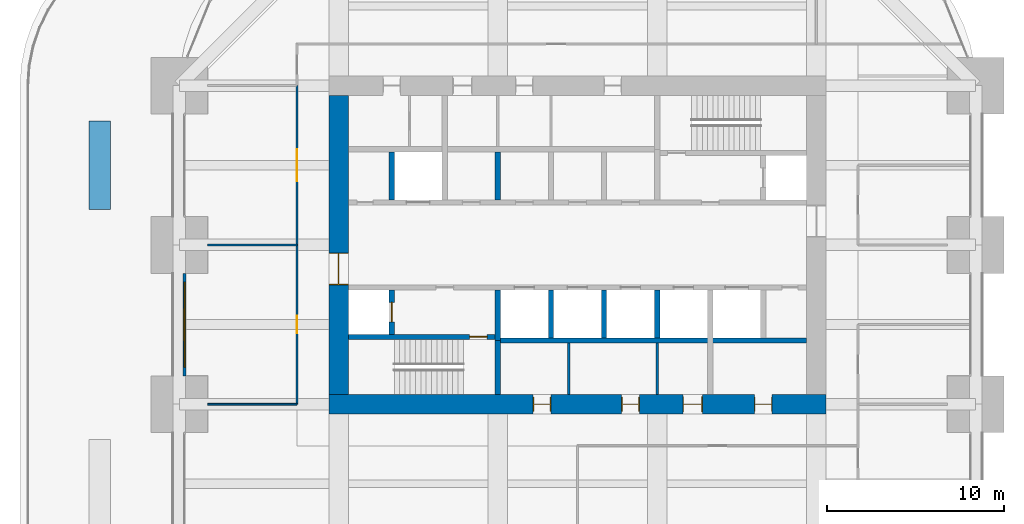
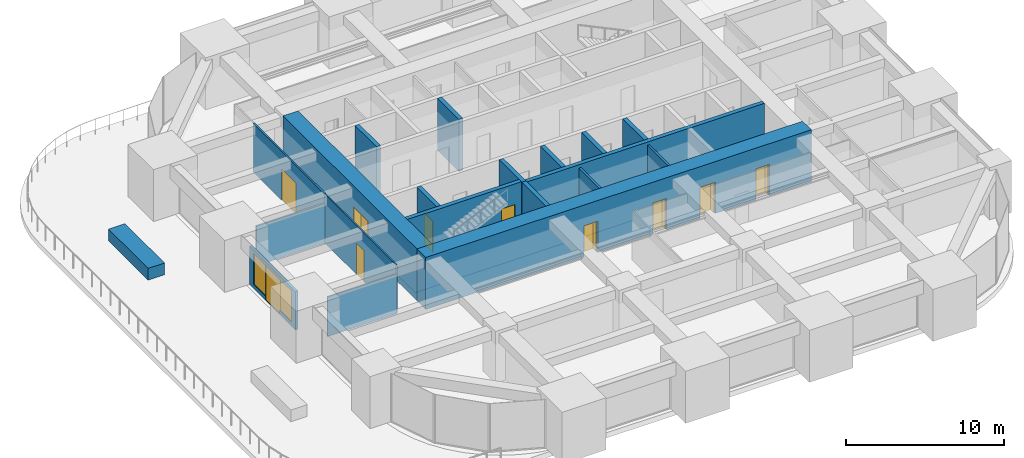
# One storey, part 36 of 40: 20 walls, 10 doors, 2 windows, 12 openings.
"""IFC4 building model written with IfcOpenShell, lengths in metres."""

from ifc_helpers import new_model, si_unit, direction, frame, frame_2d, origin, place, context, subcontext, project, spatial, rectangle, extrude, material, layer, layer_set, type_object, element, fill, save


model = new_model("IFC4")

# Units and contexts
model_context = context("Model", 3, precision=1e-05, world=origin(), true_north=direction((0.0, 1.0)))
body_context = subcontext(model_context, "Body", "Model", "MODEL_VIEW")
ifc_project = project(units=[si_unit("LENGTHUNIT", "METRE"), si_unit("AREAUNIT", "SQUARE_METRE"), si_unit("VOLUMEUNIT", "CUBIC_METRE"), si_unit("PLANEANGLEUNIT", "RADIAN"), si_unit("MASSUNIT", "GRAM", prefix="KILO")], contexts=[model_context])

# Site, building, storey
site_placement = place(None, origin())
site = spatial("IfcSite", under=ifc_project, at=site_placement, CompositionType="ELEMENT")
building_placement = place(site_placement, origin())
building = spatial("IfcBuilding", under=site, at=building_placement, Name="Zorevar Civic Tower", CompositionType="ELEMENT")
storey_placement = place(building_placement, frame((0.0, 0.0, 239.39990234375)))
storey = spatial("IfcBuildingStorey", under=building, at=storey_placement, Name="L58", CompositionType="ELEMENT", Elevation=239.39990234375)

# Wall, openings, doors
ifc_material_1 = material(Name="Concrete C50/60", Category="concrete")
ifc_layer_1 = layer(ifc_material_1, 1.10009765625)
ifc_layer_set_1 = layer_set([ifc_layer_1], Name="Core wall 1100")
wall_type_1 = type_object("IfcWallType", Name="Core wall 1100", PredefinedType="SHEAR", material=ifc_layer_set_1)
wall_1_placement = place(storey_placement, frame((17.449951171875, 18.0, 0.0), z_axis=(0.0, 0.0, 1.0), x_axis=(1.0, 0.0, 0.0)))
wall_1 = element("IfcWall", 1, at=wall_1_placement, inside=storey, type_object=wall_type_1, Name="Core wall S L58", PredefinedType="SHEAR", context=body_context, shape_type="SweptSolid", body=[
    extrude(rectangle(XDim=28.10009765625, YDim=1.10009765625, at=frame_2d((14.050048828125, 0.0))), origin(), (0.0, 0.0, 1.0), 4.0),
])
opening_1_placement = place(wall_1_placement, frame((11.550048828125, 0.0, 0.0)))
opening_1 = element("IfcOpeningElement", 2, at=opening_1_placement, cuts=wall_1, Name="Opening L58.03", PredefinedType="OPENING", context=body_context, shape_type="SweptSolid", body=[
    extrude(rectangle(XDim=1.0, YDim=2.39990234375, at=frame_2d((0.5, 1.199951171875))), frame((0.0, 0.56005859375, 0.0), z_axis=(0.0, -1.0, 0.0), x_axis=(1.0, 0.0, 0.0)), (0.0, 0.0, 1.0), 1.1201171875),
])
opening_2_placement = place(wall_1_placement, frame((16.550048828125, 0.0, 0.0)))
opening_2 = element("IfcOpeningElement", 3, at=opening_2_placement, cuts=wall_1, Name="Opening L58.04", PredefinedType="OPENING", context=body_context, shape_type="SweptSolid", body=[
    extrude(rectangle(XDim=1.0, YDim=2.39990234375, at=frame_2d((0.5, 1.199951171875))), frame((0.0, 0.56005859375, 0.0), z_axis=(0.0, -1.0, 0.0), x_axis=(1.0, 0.0, 0.0)), (0.0, 0.0, 1.0), 1.1201171875),
])
opening_3_placement = place(wall_1_placement, frame((20.0, 0.0, 0.0)))
opening_3 = element("IfcOpeningElement", 4, at=opening_3_placement, cuts=wall_1, Name="Opening L58.05", PredefinedType="OPENING", context=body_context, shape_type="SweptSolid", body=[
    extrude(rectangle(XDim=1.10009765625, YDim=2.39990234375, at=frame_2d((0.550048828125, 1.199951171875))), frame((0.0, 0.56005859375, 0.0), z_axis=(0.0, -1.0, 0.0), x_axis=(1.0, 0.0, 0.0)), (0.0, 0.0, 1.0), 1.1201171875),
])
opening_4_placement = place(wall_1_placement, frame((24.050048828125, 0.0, 0.0)))
opening_4 = element("IfcOpeningElement", 5, at=opening_4_placement, cuts=wall_1, Name="Opening L58.06", PredefinedType="OPENING", context=body_context, shape_type="SweptSolid", body=[
    extrude(rectangle(XDim=1.0, YDim=2.39990234375, at=frame_2d((0.5, 1.199951171875))), frame((0.0, 0.56005859375, 0.0), z_axis=(0.0, -1.0, 0.0), x_axis=(1.0, 0.0, 0.0)), (0.0, 0.0, 1.0), 1.1201171875),
])
ifc_material_2 = material(Name="Timber door set", Category="wood")
door_type_1 = type_object("IfcDoorType", Name="Door D1 1000x2400", OperationType="SINGLE_SWING_LEFT", PredefinedType="DOOR", material=ifc_material_2)
door_1_placement = place(opening_1_placement, origin())
door_1 = element("IfcDoor", 6, at=door_1_placement, inside=storey, type_object=door_type_1, Name="Door L58 02", OperationType="SINGLE_SWING_LEFT", OverallHeight=2.39990234375, OverallWidth=1.0, PredefinedType="DOOR", context=body_context, shape_type="SweptSolid", body=[
    extrude(rectangle(XDim=1.0, YDim=2.39990234375, at=frame_2d((0.5, 1.199951171875))), frame((0.0, 0.02490234375, 0.0), z_axis=(0.0, -1.0, 0.0), x_axis=(1.0, 0.0, 0.0)), (0.0, 0.0, 1.0), 0.050048828125),
    extrude(rectangle(XDim=0.04, YDim=2.39990234375, at=frame_2d((0.02001953125, 1.199951171875))), frame((0.0, 0.39990234375, 0.0), z_axis=(0.0, -1.0, 0.0), x_axis=(1.0, 0.0, 0.0)), (0.0, 0.0, 1.0), 0.800048828125),
    extrude(rectangle(XDim=0.04, YDim=2.39990234375, at=frame_2d((0.97998046875, 1.199951171875))), frame((0.0, 0.39990234375, 0.0), z_axis=(0.0, -1.0, 0.0), x_axis=(1.0, 0.0, 0.0)), (0.0, 0.0, 1.0), 0.800048828125),
    extrude(rectangle(XDim=1.0, YDim=0.04, at=frame_2d((0.5, 2.3798828125))), frame((0.0, 0.39990234375, 0.0), z_axis=(0.0, -1.0, 0.0), x_axis=(1.0, 0.0, 0.0)), (0.0, 0.0, 1.0), 0.800048828125),
])
fill(opening_1, door_1)
door_2_placement = place(opening_2_placement, origin())
door_2 = element("IfcDoor", 7, at=door_2_placement, inside=storey, type_object=door_type_1, Name="Door L58 03", OperationType="SINGLE_SWING_RIGHT", OverallHeight=2.39990234375, OverallWidth=1.0, PredefinedType="DOOR", context=body_context, shape_type="SweptSolid", body=[
    extrude(rectangle(XDim=1.0, YDim=2.39990234375, at=frame_2d((0.5, 1.199951171875))), frame((0.0, 0.02490234375, 0.0), z_axis=(0.0, -1.0, 0.0), x_axis=(1.0, 0.0, 0.0)), (0.0, 0.0, 1.0), 0.050048828125),
    extrude(rectangle(XDim=0.04, YDim=2.39990234375, at=frame_2d((0.02001953125, 1.199951171875))), frame((0.0, 0.39990234375, 0.0), z_axis=(0.0, -1.0, 0.0), x_axis=(1.0, 0.0, 0.0)), (0.0, 0.0, 1.0), 0.800048828125),
    extrude(rectangle(XDim=0.04, YDim=2.39990234375, at=frame_2d((0.97998046875, 1.199951171875))), frame((0.0, 0.39990234375, 0.0), z_axis=(0.0, -1.0, 0.0), x_axis=(1.0, 0.0, 0.0)), (0.0, 0.0, 1.0), 0.800048828125),
    extrude(rectangle(XDim=1.0, YDim=0.04, at=frame_2d((0.5, 2.3798828125))), frame((0.0, 0.39990234375, 0.0), z_axis=(0.0, -1.0, 0.0), x_axis=(1.0, 0.0, 0.0)), (0.0, 0.0, 1.0), 0.800048828125),
])
fill(opening_2, door_2)
door_3_placement = place(opening_4_placement, origin())
door_3 = element("IfcDoor", 8, at=door_3_placement, inside=storey, type_object=door_type_1, Name="Door L58 05", OperationType="SINGLE_SWING_RIGHT", OverallHeight=2.39990234375, OverallWidth=1.0, PredefinedType="DOOR", context=body_context, shape_type="SweptSolid", body=[
    extrude(rectangle(XDim=1.0, YDim=2.39990234375, at=frame_2d((0.5, 1.199951171875))), frame((0.0, 0.02490234375, 0.0), z_axis=(0.0, -1.0, 0.0), x_axis=(1.0, 0.0, 0.0)), (0.0, 0.0, 1.0), 0.050048828125),
    extrude(rectangle(XDim=0.04, YDim=2.39990234375, at=frame_2d((0.02001953125, 1.199951171875))), frame((0.0, 0.39990234375, 0.0), z_axis=(0.0, -1.0, 0.0), x_axis=(1.0, 0.0, 0.0)), (0.0, 0.0, 1.0), 0.800048828125),
    extrude(rectangle(XDim=0.04, YDim=2.39990234375, at=frame_2d((0.97998046875, 1.199951171875))), frame((0.0, 0.39990234375, 0.0), z_axis=(0.0, -1.0, 0.0), x_axis=(1.0, 0.0, 0.0)), (0.0, 0.0, 1.0), 0.800048828125),
    extrude(rectangle(XDim=1.0, YDim=0.04, at=frame_2d((0.5, 2.3798828125))), frame((0.0, 0.39990234375, 0.0), z_axis=(0.0, -1.0, 0.0), x_axis=(1.0, 0.0, 0.0)), (0.0, 0.0, 1.0), 0.800048828125),
])
fill(opening_4, door_3)
ifc_material_3 = material(Name="Timber door set", Category="wood")
door_type_2 = type_object("IfcDoorType", Name="Door D5 1100x2400", OperationType="SINGLE_SWING_LEFT", PredefinedType="DOOR", material=ifc_material_3)
door_4_placement = place(opening_3_placement, origin())
door_4 = element("IfcDoor", 9, at=door_4_placement, inside=storey, type_object=door_type_2, Name="Door L58 04", OperationType="SINGLE_SWING_RIGHT", OverallHeight=2.39990234375, OverallWidth=1.10009765625, PredefinedType="DOOR", context=body_context, shape_type="SweptSolid", body=[
    extrude(rectangle(XDim=1.10009765625, YDim=2.39990234375, at=frame_2d((0.550048828125, 1.199951171875))), frame((0.0, 0.02490234375, 0.0), z_axis=(0.0, -1.0, 0.0), x_axis=(1.0, 0.0, 0.0)), (0.0, 0.0, 1.0), 0.050048828125),
    extrude(rectangle(XDim=0.04, YDim=2.39990234375, at=frame_2d((0.02001953125, 1.199951171875))), frame((0.0, 0.43994140625, 0.0), z_axis=(0.0, -1.0, 0.0), x_axis=(1.0, 0.0, 0.0)), (0.0, 0.0, 1.0), 0.880126953125),
    extrude(rectangle(XDim=0.04, YDim=2.39990234375, at=frame_2d((1.080078125, 1.199951171875))), frame((0.0, 0.43994140625, 0.0), z_axis=(0.0, -1.0, 0.0), x_axis=(1.0, 0.0, 0.0)), (0.0, 0.0, 1.0), 0.880126953125),
    extrude(rectangle(XDim=1.10009765625, YDim=0.04, at=frame_2d((0.550048828125, 2.3798828125))), frame((0.0, 0.43994140625, 0.0), z_axis=(0.0, -1.0, 0.0), x_axis=(1.0, 0.0, 0.0)), (0.0, 0.0, 1.0), 0.880126953125),
])
fill(opening_3, door_4)

# Wall, opening, door
wall_2_placement = place(storey_placement, frame((18.0, 35.449951171875, 0.0), z_axis=(0.0, 0.0, 1.0), x_axis=(0.0, -1.0, 0.0)))
wall_2 = element("IfcWall", 10, at=wall_2_placement, inside=storey, type_object=wall_type_1, Name="Core wall W L58", PredefinedType="SHEAR", context=body_context, shape_type="SweptSolid", body=[
    extrude(rectangle(XDim=16.89990234375, YDim=1.10009765625, at=frame_2d((8.449951171875, 0.0))), origin(), (0.0, 0.0, 1.0), 4.0),
])
opening_5_placement = place(wall_2_placement, frame((8.89990234375, 0.0, 0.0)))
opening_5 = element("IfcOpeningElement", 11, at=opening_5_placement, cuts=wall_2, Name="Opening L58.01", PredefinedType="OPENING", context=body_context, shape_type="SweptSolid", body=[
    extrude(rectangle(XDim=1.800048828125, YDim=2.39990234375, at=frame_2d((0.89990234375, 1.199951171875))), frame((0.0, 0.56005859375, 0.0), z_axis=(0.0, -1.0, 0.0), x_axis=(1.0, 0.0, 0.0)), (0.0, 0.0, 1.0), 1.1201171875),
])
ifc_material_4 = material(Name="Steel door set", Category="steel")
door_type_3 = type_object("IfcDoorType", Name="Fire door FD2 1800x2400", OperationType="DOUBLE_DOOR_DOUBLE_SWING", PredefinedType="DOOR", material=ifc_material_4)
door_5_placement = place(opening_5_placement, origin())
door_5 = element("IfcDoor", 12, at=door_5_placement, inside=storey, type_object=door_type_3, Name="Door L58 00", OperationType="DOUBLE_DOOR_DOUBLE_SWING", OverallHeight=2.39990234375, OverallWidth=1.800048828125, PredefinedType="DOOR", context=body_context, shape_type="SweptSolid", body=[
    extrude(rectangle(XDim=1.800048828125, YDim=2.39990234375, at=frame_2d((0.89990234375, 1.199951171875))), frame((0.0, 0.030029296875, 0.0), z_axis=(0.0, -1.0, 0.0), x_axis=(1.0, 0.0, 0.0)), (0.0, 0.0, 1.0), 0.06005859375),
    extrude(rectangle(XDim=0.04, YDim=2.39990234375, at=frame_2d((0.02001953125, 1.199951171875))), frame((0.0, 0.5498046875, 0.0), z_axis=(0.0, -1.0, 0.0), x_axis=(1.0, 0.0, 0.0)), (0.0, 0.0, 1.0), 1.099609375),
    extrude(rectangle(XDim=0.04, YDim=2.39990234375, at=frame_2d((1.780029296875, 1.199951171875))), frame((0.0, 0.5498046875, 0.0), z_axis=(0.0, -1.0, 0.0), x_axis=(1.0, 0.0, 0.0)), (0.0, 0.0, 1.0), 1.099609375),
    extrude(rectangle(XDim=1.800048828125, YDim=0.04, at=frame_2d((0.89990234375, 2.3798828125))), frame((0.0, 0.5498046875, 0.0), z_axis=(0.0, -1.0, 0.0), x_axis=(1.0, 0.0, 0.0)), (0.0, 0.0, 1.0), 1.099609375),
])
fill(opening_5, door_5)

# Wall
ifc_material_5 = material(Name="Laminated glass in black aluminium frame", Category="aluminium")
ifc_layer_2 = layer(ifc_material_5, 0.10009765625)
ifc_layer_set_2 = layer_set([ifc_layer_2], Name="Glazed partition 100")
wall_type_2 = type_object("IfcWallType", Name="Glazed partition 100", PredefinedType="PARTITIONING", material=ifc_layer_set_2)
wall_3_placement = place(storey_placement, frame((10.60009765625, 18.0, 0.0), z_axis=(0.0, 0.0, 1.0), x_axis=(1.0, 0.0, 0.0)))
element("IfcWall", 13, at=wall_3_placement, inside=storey, type_object=wall_type_2, Name="Glazed partition 100 L58", PredefinedType="PARTITIONING", context=body_context, shape_type="SweptSolid", body=[
    extrude(rectangle(XDim=5.0498046875, YDim=0.10009765625, at=frame_2d((2.52490234375, 0.0))), origin(), (0.0, 0.0, 1.0), 3.050048828125),
])

# Wall, opening, door
wall_4_placement = place(storey_placement, frame((15.64990234375, 18.0, 0.0), z_axis=(0.0, 0.0, 1.0), x_axis=(0.0, 1.0, 0.0)))
wall_4 = element("IfcWall", 14, at=wall_4_placement, inside=storey, type_object=wall_type_2, Name="Glazed partition 100 L58", PredefinedType="PARTITIONING", context=body_context, shape_type="SweptSolid", body=[
    extrude(rectangle(XDim=9.0, YDim=0.10009765625, at=frame_2d((4.5, 0.0))), origin(), (0.0, 0.0, 1.0), 3.75),
])
opening_6_placement = place(wall_4_placement, frame((4.0, 0.0, 0.0)))
opening_6 = element("IfcOpeningElement", 15, at=opening_6_placement, cuts=wall_4, Name="Opening L58.22", PredefinedType="OPENING", context=body_context, shape_type="SweptSolid", body=[
    extrude(rectangle(XDim=1.0, YDim=2.39990234375, at=frame_2d((0.5, 1.199951171875))), frame((0.0, 0.06005859375, 0.0), z_axis=(0.0, -1.0, 0.0), x_axis=(1.0, 0.0, 0.0)), (0.0, 0.0, 1.0), 0.1201171875),
])
ifc_material_6 = material(Name="Timber door set", Category="wood")
door_type_4 = type_object("IfcDoorType", Name="Glazed door GD1 1000x2400", OperationType="SINGLE_SWING_LEFT", PredefinedType="DOOR", material=ifc_material_6)
door_6_placement = place(opening_6_placement, origin())
door_6 = element("IfcDoor", 16, at=door_6_placement, inside=storey, type_object=door_type_4, Name="Door L58 D1", OperationType="SINGLE_SWING_LEFT", OverallHeight=2.39990234375, OverallWidth=1.0, PredefinedType="DOOR", context=body_context, shape_type="SweptSolid", body=[
    extrude(rectangle(XDim=1.0, YDim=2.39990234375, at=frame_2d((0.5, 1.199951171875))), frame((0.0, 0.02001953125, 0.0), z_axis=(0.0, -1.0, 0.0), x_axis=(1.0, 0.0, 0.0)), (0.0, 0.0, 1.0), 0.0400390625),
])
fill(opening_6, door_6)

ifc_material_7 = material(Name="Concrete C40/50", Category="concrete")
ifc_layer_3 = layer(ifc_material_7, 0.300048828125)
ifc_layer_set_3 = layer_set([ifc_layer_3], Name="Inner core wall 300")
wall_type_3 = type_object("IfcWallType", Name="Inner core wall 300", PredefinedType="SHEAR", material=ifc_layer_set_3)
wall_5_placement = place(storey_placement, frame((18.550048828125, 21.800048828125, 0.0), z_axis=(0.0, 0.0, 1.0), x_axis=(1.0, 0.0, 0.0)))
wall_5 = element("IfcWall", 17, at=wall_5_placement, inside=storey, type_object=wall_type_3, Name="Inner core wall S00 L58", PredefinedType="SHEAR", context=body_context, shape_type="SweptSolid", body=[
    extrude(rectangle(XDim=8.300048828125, YDim=0.300048828125, at=frame_2d((4.14990234375, 0.0))), origin(), (0.0, 0.0, 1.0), 4.0),
])
opening_7_placement = place(wall_5_placement, frame((6.85009765625, 0.0, 0.0)))
opening_7 = element("IfcOpeningElement", 18, at=opening_7_placement, cuts=wall_5, Name="Opening L58.11", PredefinedType="OPENING", context=body_context, shape_type="SweptSolid", body=[
    extrude(rectangle(XDim=1.0, YDim=2.39990234375, at=frame_2d((0.5, 1.199951171875))), frame((0.0, 0.159912109375, 0.0), z_axis=(0.0, -1.0, 0.0), x_axis=(1.0, 0.0, 0.0)), (0.0, 0.0, 1.0), 0.320068359375),
])
ifc_material_8 = material(Name="Steel door set", Category="steel")
door_type_5 = type_object("IfcDoorType", Name="Fire door FD1 1000x2400", OperationType="SINGLE_SWING_LEFT", PredefinedType="DOOR", material=ifc_material_8)
door_7_placement = place(opening_7_placement, origin())
door_7 = element("IfcDoor", 19, at=door_7_placement, inside=storey, type_object=door_type_5, Name="Door L58 10", OperationType="SINGLE_SWING_RIGHT", OverallHeight=2.39990234375, OverallWidth=1.0, PredefinedType="DOOR", context=body_context, shape_type="SweptSolid", body=[
    extrude(rectangle(XDim=1.0, YDim=2.39990234375, at=frame_2d((0.5, 1.199951171875))), frame((0.0, 0.030029296875, 0.0), z_axis=(0.0, -1.0, 0.0), x_axis=(1.0, 0.0, 0.0)), (0.0, 0.0, 1.0), 0.06005859375),
])
fill(opening_7, door_7)

# Wall
wall_6_placement = place(storey_placement, frame((27.0, 18.550048828125, 0.0), z_axis=(0.0, 0.0, 1.0), x_axis=(0.0, 1.0, 0.0)))
element("IfcWall", 20, at=wall_6_placement, inside=storey, type_object=wall_type_3, Name="Inner core wall S01 L58", PredefinedType="SHEAR", context=body_context, shape_type="SweptSolid", body=[
    extrude(rectangle(XDim=3.050048828125, YDim=0.300048828125, at=frame_2d((1.52490234375, 0.0))), origin(), (0.0, 0.0, 1.0), 4.0),
])

# Wall, opening, door
wall_7_placement = place(storey_placement, frame((21.0, 21.949951171875, 0.0), z_axis=(0.0, 0.0, 1.0), x_axis=(0.0, 1.0, 0.0)))
wall_7 = element("IfcWall", 21, at=wall_7_placement, inside=storey, type_object=wall_type_3, Name="Inner core wall S02 L58", PredefinedType="SHEAR", context=body_context, shape_type="SweptSolid", body=[
    extrude(rectangle(XDim=2.5, YDim=0.300048828125, at=frame_2d((1.25, 0.0))), origin(), (0.0, 0.0, 1.0), 4.0),
])
opening_8_placement = place(wall_7_placement, frame((0.699951171875, 0.0, 0.0)))
opening_8 = element("IfcOpeningElement", 22, at=opening_8_placement, cuts=wall_7, Name="Opening L58.FL1", PredefinedType="OPENING", context=body_context, shape_type="SweptSolid", body=[
    extrude(rectangle(XDim=1.10009765625, YDim=2.39990234375, at=frame_2d((0.550048828125, 1.199951171875))), frame((0.0, 0.159912109375, 0.0), z_axis=(0.0, -1.0, 0.0), x_axis=(1.0, 0.0, 0.0)), (0.0, 0.0, 1.0), 0.320068359375),
])
ifc_material_9 = material(Name="Steel door set", Category="steel")
door_type_6 = type_object("IfcDoorType", Name="Firefighting lift landing door LD3 1100x2400", OperationType="DOUBLE_DOOR_SLIDING", PredefinedType="DOOR", material=ifc_material_9)
door_8_placement = place(opening_8_placement, origin())
door_8 = element("IfcDoor", 23, at=door_8_placement, inside=storey, type_object=door_type_6, Name="Landing door FL1 L58", OperationType="DOUBLE_DOOR_SLIDING", OverallHeight=2.39990234375, OverallWidth=1.10009765625, PredefinedType="DOOR", context=body_context, shape_type="SweptSolid", body=[
    extrude(rectangle(XDim=1.10009765625, YDim=2.39990234375, at=frame_2d((0.550048828125, 1.199951171875))), frame((0.0, 0.030029296875, 0.0), z_axis=(0.0, -1.0, 0.0), x_axis=(1.0, 0.0, 0.0)), (0.0, 0.0, 1.0), 0.06005859375),
])
fill(opening_8, door_8)

# Walls
wall_8_placement = place(storey_placement, frame((27.14990234375, 21.60009765625, 0.0), z_axis=(0.0, 0.0, 1.0), x_axis=(1.0, 0.0, 0.0)))
element("IfcWall", 24, at=wall_8_placement, inside=storey, type_object=wall_type_3, Name="Inner core wall S04 L58", PredefinedType="SHEAR", context=body_context, shape_type="SweptSolid", body=[
    extrude(rectangle(XDim=17.300048828125, YDim=0.300048828125, at=frame_2d((8.64990234375, 0.0))), origin(), (0.0, 0.0, 1.0), 4.0),
])
for number, where, z_axis, x_axis, name in (
    (25, (30.0, 21.75, 0.0), (0.0, 0.0, 1.0), (0.0, 1.0, 0.0), "Inner core wall S05 L58"),
    (26, (33.0, 21.75, 0.0), (0.0, 0.0, 1.0), (0.0, 1.0, 0.0), "Inner core wall S06 L58"),
    (27, (36.0, 21.75, 0.0), (0.0, 0.0, 1.0), (0.0, 1.0, 0.0), "Inner core wall S07 L58"),
    (28, (27.0, 29.550048828125, 0.0), (0.0, 0.0, 1.0), (0.0, 1.0, 0.0), "Inner core wall N07 L58"),
    (29, (21.0, 29.550048828125, 0.0), (0.0, 0.0, 1.0), (0.0, 1.0, 0.0), "Inner core wall N09 L58"),
):
    element("IfcWall", number, at=place(storey_placement, frame(where, z_axis=z_axis, x_axis=x_axis)), inside=storey, type_object=wall_type_3, Name=name, PredefinedType="SHEAR", context=body_context, shape_type="SweptSolid", body=[
        extrude(rectangle(XDim=2.699951171875, YDim=0.300048828125, at=frame_2d((1.35009765625, 0.0))), origin(), (0.0, 0.0, 1.0), 4.0),
    ])
wall_9_placement = place(storey_placement, frame((27.0, 21.60009765625, 0.0), z_axis=(0.0, 0.0, 1.0), x_axis=(0.0, 1.0, 0.0)))
element("IfcWall", 30, at=wall_9_placement, inside=storey, type_object=wall_type_3, Name="Inner core wall S10 L58", PredefinedType="SHEAR", context=body_context, shape_type="SweptSolid", body=[
    extrude(rectangle(XDim=2.849853515625, YDim=0.300048828125, at=frame_2d((1.4248046875, 0.0))), origin(), (0.0, 0.0, 1.0), 4.0),
])
ifc_material_10 = material(Name="Gypsum board on steel studs", Category="steel")
ifc_layer_4 = layer(ifc_material_10, 0.1201171875)
ifc_layer_set_4 = layer_set([ifc_layer_4], Name="Partition 120")
wall_type_4 = type_object("IfcWallType", Name="Partition 120", PredefinedType="PARTITIONING", material=ifc_layer_set_4)
wall_10_placement = place(storey_placement, frame((10.60009765625, 27.0, 0.0), z_axis=(0.0, 0.0, 1.0), x_axis=(1.0, 0.0, 0.0)))
element("IfcWall", 31, at=wall_10_placement, inside=storey, type_object=wall_type_4, Name="Partition 120 L58", PredefinedType="PARTITIONING", context=body_context, shape_type="SweptSolid", body=[
    extrude(rectangle(XDim=5.0498046875, YDim=0.1201171875, at=frame_2d((2.52490234375, 0.0))), origin(), (0.0, 0.0, 1.0), 3.050048828125),
])

# Wall, opening, door
wall_11_placement = place(storey_placement, frame((15.64990234375, 27.0, 0.0), z_axis=(0.0, 0.0, 1.0), x_axis=(0.0, 1.0, 0.0)))
wall_11 = element("IfcWall", 32, at=wall_11_placement, inside=storey, type_object=wall_type_4, Name="Partition 120 L58", PredefinedType="PARTITIONING", context=body_context, shape_type="SweptSolid", body=[
    extrude(rectangle(XDim=9.0, YDim=0.1201171875, at=frame_2d((4.5, 0.0))), origin(), (0.0, 0.0, 1.0), 3.75),
])
opening_9_placement = place(wall_11_placement, frame((3.60009765625, 0.0, 0.0)))
opening_9 = element("IfcOpeningElement", 33, at=opening_9_placement, cuts=wall_11, Name="Opening L58.20", PredefinedType="OPENING", context=body_context, shape_type="SweptSolid", body=[
    extrude(rectangle(XDim=1.800048828125, YDim=2.39990234375, at=frame_2d((0.89990234375, 1.199951171875))), frame((0.0, 0.070068359375, 0.0), z_axis=(0.0, -1.0, 0.0), x_axis=(1.0, 0.0, 0.0)), (0.0, 0.0, 1.0), 0.14013671875),
])
ifc_material_11 = material(Name="Steel door set", Category="steel")
door_type_7 = type_object("IfcDoorType", Name="Door D2 1800x2400", OperationType="DOUBLE_DOOR_SINGLE_SWING", PredefinedType="DOOR", material=ifc_material_11)
door_9_placement = place(opening_9_placement, origin())
door_9 = element("IfcDoor", 34, at=door_9_placement, inside=storey, type_object=door_type_7, Name="Door L58 D1", OperationType="DOUBLE_DOOR_SINGLE_SWING", OverallHeight=2.39990234375, OverallWidth=1.800048828125, PredefinedType="DOOR", context=body_context, shape_type="SweptSolid", body=[
    extrude(rectangle(XDim=1.800048828125, YDim=2.39990234375, at=frame_2d((0.89990234375, 1.199951171875))), frame((0.0, 0.02490234375, 0.0), z_axis=(0.0, -1.0, 0.0), x_axis=(1.0, 0.0, 0.0)), (0.0, 0.0, 1.0), 0.050048828125),
])
fill(opening_9, door_9)

# Wall
ifc_material_12 = material(Name="Precast concrete planter", Category="concrete")
ifc_layer_5 = layer(ifc_material_12, 1.199951171875)
ifc_layer_set_5 = layer_set([ifc_layer_5], Name="Planter PL1 1200")
wall_type_5 = type_object("IfcWallType", Name="Planter PL1 1200", PredefinedType="USERDEFINED", material=ifc_layer_set_5)
wall_12_placement = place(storey_placement, frame((4.5, 29.0, 0.0), z_axis=(0.0, 0.0, 1.0), x_axis=(0.0, 1.0, 0.0)))
element("IfcWall", 35, at=wall_12_placement, inside=storey, type_object=wall_type_5, Name="Planter L58", ObjectType="PLANTER", PredefinedType="USERDEFINED", context=body_context, shape_type="SweptSolid", body=[
    extrude(rectangle(XDim=5.0, YDim=1.199951171875, at=frame_2d((2.5, 0.0))), origin(), (0.0, 0.0, 1.0), 0.900146484375),
])

# Wall, openings, door, windows
ifc_material_13 = material(Name="Black metal-faced insulated panel", Category="aluminium")
ifc_layer_6 = layer(ifc_material_13, 0.179931640625)
ifc_layer_set_6 = layer_set([ifc_layer_6], Name="Screen wall 180")
wall_type_6 = type_object("IfcWallType", Name="Screen wall 180", PredefinedType="SOLIDWALL", material=ifc_layer_set_6)
wall_13_placement = place(storey_placement, frame((9.300048828125, 19.60009765625, 0.0), z_axis=(0.0, 0.0, 1.0), x_axis=(0.0, 1.0, 0.0)))
wall_13 = element("IfcWall", 36, at=wall_13_placement, inside=storey, type_object=wall_type_6, Name="Screen wall L58 W18", PredefinedType="SOLIDWALL", context=body_context, shape_type="SweptSolid", body=[
    extrude(rectangle(XDim=5.7998046875, YDim=0.179931640625, at=frame_2d((2.89990234375, 0.0))), origin(), (0.0, 0.0, 1.0), 2.9501953125),
])
opening_10_placement = place(wall_13_placement, frame((2.0, 0.0, 0.0)))
opening_10 = element("IfcOpeningElement", 37, at=opening_10_placement, cuts=wall_13, Name="Opening TD1", PredefinedType="OPENING", context=body_context, shape_type="SweptSolid", body=[
    extrude(rectangle(XDim=1.800048828125, YDim=2.699951171875, at=frame_2d((0.89990234375, 1.35009765625))), frame((0.0, 0.099853515625, 0.0), z_axis=(0.0, -1.0, 0.0), x_axis=(1.0, 0.0, 0.0)), (0.0, 0.0, 1.0), 0.199951171875),
])
opening_11_placement = place(wall_13_placement, frame((0.5, 0.0, 0.300048828125)))
opening_11 = element("IfcOpeningElement", 38, at=opening_11_placement, cuts=wall_13, Name="Opening WS1", PredefinedType="OPENING", context=body_context, shape_type="SweptSolid", body=[
    extrude(rectangle(XDim=1.5, YDim=2.39990234375, at=frame_2d((0.75, 1.199951171875))), frame((0.0, 0.099853515625, 0.0), z_axis=(0.0, -1.0, 0.0), x_axis=(1.0, 0.0, 0.0)), (0.0, 0.0, 1.0), 0.199951171875),
])
opening_12_placement = place(wall_13_placement, frame((3.800048828125, 0.0, 0.300048828125)))
opening_12 = element("IfcOpeningElement", 39, at=opening_12_placement, cuts=wall_13, Name="Opening WS1", PredefinedType="OPENING", context=body_context, shape_type="SweptSolid", body=[
    extrude(rectangle(XDim=1.5, YDim=2.39990234375, at=frame_2d((0.75, 1.199951171875))), frame((0.0, 0.099853515625, 0.0), z_axis=(0.0, -1.0, 0.0), x_axis=(1.0, 0.0, 0.0)), (0.0, 0.0, 1.0), 0.199951171875),
])
ifc_material_14 = material(Name="Black aluminium and dark glass", Category="aluminium")
door_type_8 = type_object("IfcDoorType", Name="Terrace door TD1 1800x2700", OperationType="DOUBLE_DOOR_SINGLE_SWING", PredefinedType="DOOR", material=ifc_material_14)
door_10_placement = place(opening_10_placement, origin())
door_10 = element("IfcDoor", 40, at=door_10_placement, inside=storey, type_object=door_type_8, Name="Terrace door L58 W18", OperationType="DOUBLE_DOOR_SINGLE_SWING", OverallHeight=2.699951171875, OverallWidth=1.800048828125, PredefinedType="DOOR", context=body_context, shape_type="SweptSolid", body=[
    extrude(rectangle(XDim=1.800048828125, YDim=2.699951171875, at=frame_2d((0.89990234375, 1.35009765625))), frame((0.0, 0.03515625, 0.0), z_axis=(0.0, -1.0, 0.0), x_axis=(1.0, 0.0, 0.0)), (0.0, 0.0, 1.0), 0.070068359375),
])
fill(opening_10, door_10)
ifc_material_15 = material(Name="Black aluminium and dark glass", Category="aluminium")
window_type = type_object("IfcWindowType", Name="Window WS1 1500x2400", PartitioningType="SINGLE_PANEL", PredefinedType="WINDOW", material=ifc_material_15)
window_1_placement = place(opening_11_placement, origin())
window_1 = element("IfcWindow", 41, at=window_1_placement, inside=storey, type_object=window_type, Name="Screen window L58 W18", OverallHeight=2.39990234375, OverallWidth=1.5, PartitioningType="SINGLE_PANEL", PredefinedType="WINDOW", context=body_context, shape_type="SweptSolid", body=[
    extrude(rectangle(XDim=1.5, YDim=2.39990234375, at=frame_2d((0.75, 1.199951171875))), frame((0.0, 0.030029296875, 0.0), z_axis=(0.0, -1.0, 0.0), x_axis=(1.0, 0.0, 0.0)), (0.0, 0.0, 1.0), 0.06005859375),
])
fill(opening_11, window_1)
window_2_placement = place(opening_12_placement, origin())
window_2 = element("IfcWindow", 42, at=window_2_placement, inside=storey, type_object=window_type, Name="Screen window L58 W18", OverallHeight=2.39990234375, OverallWidth=1.5, PartitioningType="SINGLE_PANEL", PredefinedType="WINDOW", context=body_context, shape_type="SweptSolid", body=[
    extrude(rectangle(XDim=1.5, YDim=2.39990234375, at=frame_2d((0.75, 1.199951171875))), frame((0.0, 0.030029296875, 0.0), z_axis=(0.0, -1.0, 0.0), x_axis=(1.0, 0.0, 0.0)), (0.0, 0.0, 1.0), 0.06005859375),
])
fill(opening_12, window_2)

# Walls
ifc_material_16 = material(Name="Gypsum board on steel studs, moisture resistant", Category="steel")
ifc_layer_7 = layer(ifc_material_16, 0.14990234375)
ifc_layer_set_7 = layer_set([ifc_layer_7], Name="WC partition 150")
wall_type_7 = type_object("IfcWallType", Name="WC partition 150", PredefinedType="PARTITIONING", material=ifc_layer_set_7)
for number, where, z_axis, x_axis, name in (
    (43, (31.0, 18.550048828125, 0.0), (0.0, 0.0, 1.0), (0.0, 1.0, 0.0), "WC partition L58"),
    (44, (36.0, 18.550048828125, 0.0), (0.0, 0.0, 1.0), (0.0, 1.0, 0.0), "WC partition L58"),
):
    element("IfcWall", number, at=place(storey_placement, frame(where, z_axis=z_axis, x_axis=x_axis)), inside=storey, type_object=wall_type_7, Name=name, PredefinedType="PARTITIONING", context=body_context, shape_type="SweptSolid", body=[
        extrude(rectangle(XDim=2.89990234375, YDim=0.14990234375, at=frame_2d((1.449951171875, 0.0))), origin(), (0.0, 0.0, 1.0), 3.75),
    ])

save(model, "model.ifc")
